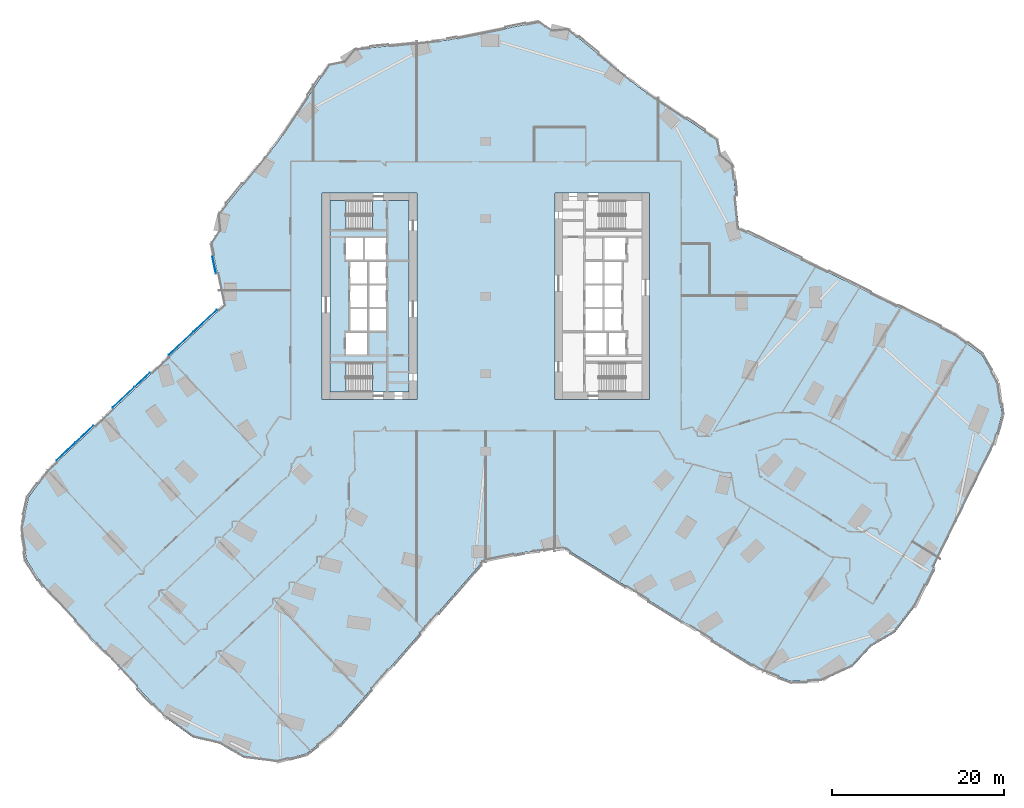
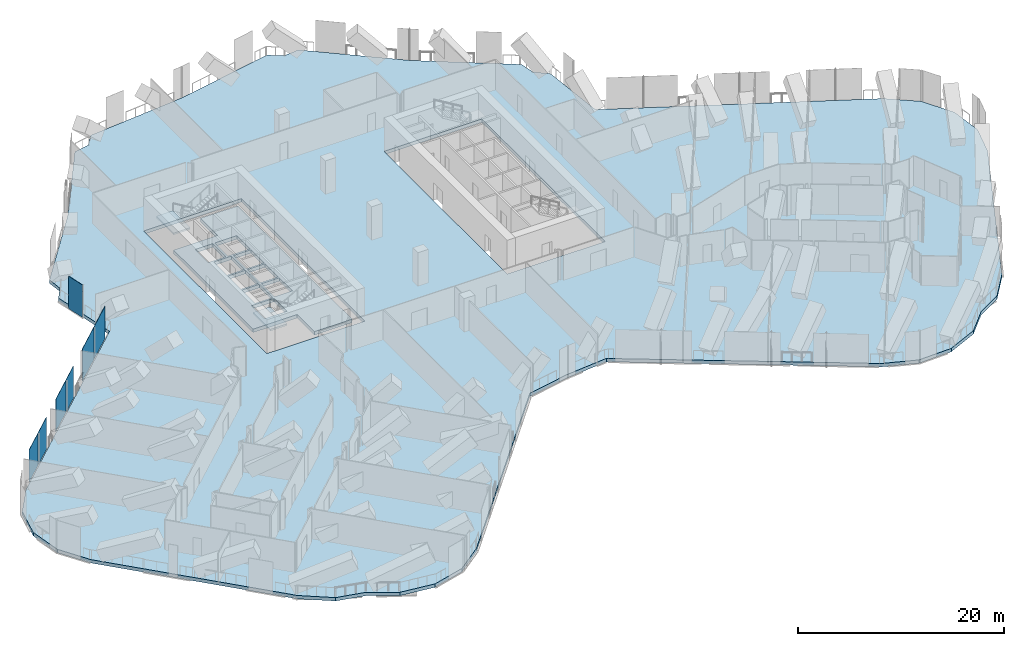
# One storey, part 17 of 31: 7 plates, 4 slabs, 4 elements without a shape of their own.
"""IFC4 building model written with IfcOpenShell, lengths in metres."""

from ifc_helpers import new_model, si_unit, direction, frame, origin, origin_2d, place, context, subcontext, project, spatial, polyline, rectangle, outline, extrude, material, layer, layer_set, type_object, element, aggregate, save


model = new_model("IFC4")

# Units and contexts
model_context = context("Model", 3, precision=1e-05, world=origin(), true_north=direction((0.0, 1.0)))
body_context = subcontext(model_context, "Body", "Model", "MODEL_VIEW")
ifc_project = project(units=[si_unit("LENGTHUNIT", "METRE"), si_unit("AREAUNIT", "SQUARE_METRE"), si_unit("VOLUMEUNIT", "CUBIC_METRE"), si_unit("PLANEANGLEUNIT", "RADIAN"), si_unit("MASSUNIT", "GRAM", prefix="KILO")], contexts=[model_context])

# Site, building, storey
site_placement = place(None, origin())
site = spatial("IfcSite", under=ifc_project, at=site_placement, CompositionType="ELEMENT")
building_placement = place(site_placement, origin())
building = spatial("IfcBuilding", under=site, at=building_placement, Name="Orlundy Tower", CompositionType="ELEMENT")
storey_placement = place(building_placement, frame((0.0, 0.0, 54.800048828125)))
storey = spatial("IfcBuildingStorey", under=building, at=storey_placement, Name="L12", CompositionType="ELEMENT", Elevation=54.800048828125)

# Curtain wall, plates
ifc_material_1 = material(Name="Aluminium bronze anodised", Category="aluminium")
curtain_wall_type = type_object("IfcCurtainWallType", Name="CW5 wall", PredefinedType="NOTDEFINED", material=ifc_material_1)
curtain_wall_1_placement = place(storey_placement, origin())
curtain_wall_1 = element("IfcCurtainWall", 1, at=curtain_wall_1_placement, inside=storey, type_object=curtain_wall_type, Name="CW5 run 012", PredefinedType="NOTDEFINED")
ifc_material_2 = material(Name="Tinted glass", Category="glass")
ifc_layer_1 = layer(ifc_material_2, 0.031982421875)
ifc_layer_set_1 = layer_set([ifc_layer_1], Name="CW5 glass panel 32")
plate_type_1 = type_object("IfcPlateType", Name="CW5 glass panel 32", PredefinedType="CURTAIN_PANEL", material=ifc_layer_set_1)
plate_1_placement = place(storey_placement, frame((-48.69482421875, -18.0009765625, -0.26025390625), z_axis=(0.0, 0.0, 1.0), x_axis=(0.729356319331, 0.684134021557, 0.0)))
plate_1 = element("IfcPlate", 2, at=plate_1_placement, type_object=plate_type_1, Name="CW5 panel", PredefinedType="CURTAIN_PANEL", context=body_context, shape_type="SweptSolid", body=[
    extrude(rectangle(XDim=2.9814453125, YDim=0.031982421875, at=origin_2d()), origin(), (0.0, 0.0, 1.0), 3.860107421875),
])
plate_2_placement = place(storey_placement, frame((-46.5537109375, -15.99267578125, -0.26025390625), z_axis=(0.0, 0.0, 1.0), x_axis=(0.729356319331, 0.684134021557, 0.0)))
plate_2 = element("IfcPlate", 3, at=plate_2_placement, type_object=plate_type_1, Name="CW5 panel", PredefinedType="CURTAIN_PANEL", context=body_context, shape_type="SweptSolid", body=[
    extrude(rectangle(XDim=2.7900390625, YDim=0.031982421875, at=origin_2d()), origin(), (0.0, 0.0, 1.0), 3.860107421875),
])
plate_3_placement = place(storey_placement, frame((-39.85498046875, -9.709228515625, -0.26025390625), z_axis=(0.0, 0.0, 1.0), x_axis=(0.729356319331, 0.684134021557, 0.0)))
plate_3 = element("IfcPlate", 4, at=plate_3_placement, type_object=plate_type_1, Name="CW5 panel", PredefinedType="CURTAIN_PANEL", context=body_context, shape_type="SweptSolid", body=[
    extrude(rectangle(XDim=2.421630859375, YDim=0.031982421875, at=origin_2d()), origin(), (0.0, 0.0, 1.0), 3.860107421875),
])
plate_4_placement = place(storey_placement, frame((-35.344970703125, -5.478759765625, -0.26025390625), z_axis=(0.0, 0.0, 1.0), x_axis=(0.729356319331, 0.684134021557, 0.0)))
plate_4 = element("IfcPlate", 5, at=plate_4_placement, type_object=plate_type_1, Name="CW5 panel", PredefinedType="CURTAIN_PANEL", context=body_context, shape_type="SweptSolid", body=[
    extrude(rectangle(XDim=3.847900390625, YDim=0.031982421875, at=origin_2d()), origin(), (0.0, 0.0, 1.0), 3.860107421875),
])

# Curtain wall, plate
curtain_wall_2_placement = place(storey_placement, origin())
curtain_wall_2 = element("IfcCurtainWall", 6, at=curtain_wall_2_placement, inside=storey, type_object=curtain_wall_type, Name="CW5 run 013", PredefinedType="NOTDEFINED")
plate_5_placement = place(storey_placement, frame((-31.501953125, 3.581298828125, -0.26025390625), z_axis=(0.0, 0.0, 1.0), x_axis=(-0.196525802824, 0.980498653148, 0.0)))
plate_5 = element("IfcPlate", 7, at=plate_5_placement, type_object=plate_type_1, Name="CW5 panel", PredefinedType="CURTAIN_PANEL", context=body_context, shape_type="SweptSolid", body=[
    extrude(rectangle(XDim=2.01123046875, YDim=0.031982421875, at=origin_2d()), origin(), (0.0, 0.0, 1.0), 3.860107421875),
])
aggregate(curtain_wall_2, [plate_5])

# Plate
ifc_material_3 = material(Name="Tinted glass", Category="glass")
ifc_layer_2 = layer(ifc_material_3, 0.031982421875)
ifc_layer_set_2 = layer_set([ifc_layer_2], Name="CW5 vent panel 32")
plate_type_2 = type_object("IfcPlateType", Name="CW5 vent panel 32", PredefinedType="CURTAIN_PANEL", material=ifc_layer_set_2)
plate_6_placement = place(storey_placement, frame((-42.018798828125, -11.73876953125, -0.26025390625), z_axis=(0.0, 0.0, 1.0), x_axis=(0.729356319331, 0.684134021557, 0.0)))
plate_6 = element("IfcPlate", 8, at=plate_6_placement, type_object=plate_type_2, Name="CW5 panel", PredefinedType="CURTAIN_PANEL", context=body_context, shape_type="SweptSolid", body=[
    extrude(rectangle(XDim=3.41162109375, YDim=0.031982421875, at=origin_2d()), origin(), (0.0, 0.0, 1.0), 3.860107421875),
])

plate_7_placement = place(storey_placement, frame((-32.56005859375, -2.86669921875, -0.26025390625), z_axis=(0.0, 0.0, 1.0), x_axis=(0.729356319331, 0.684134021557, 0.0)))
plate_7 = element("IfcPlate", 9, at=plate_7_placement, type_object=plate_type_2, Name="CW5 panel", PredefinedType="CURTAIN_PANEL", context=body_context, shape_type="SweptSolid", body=[
    extrude(rectangle(XDim=3.688232421875, YDim=0.031982421875, at=origin_2d()), origin(), (0.0, 0.0, 1.0), 3.860107421875),
])

aggregate(curtain_wall_1, [plate_1, plate_2, plate_6, plate_3, plate_4, plate_7])

# Slab
ifc_material_4 = material(Name="Concrete C50/60", Category="concrete")
ifc_layer_3 = layer(ifc_material_4, 0.409912109375)
ifc_layer_set_3 = layer_set([ifc_layer_3], Name="Core Floor Slab 410")
slab_type_1 = type_object("IfcSlabType", Name="Core Floor Slab 410", PredefinedType="FLOOR", material=ifc_layer_set_3)
slab_1_placement = place(storey_placement, frame((0.0, 0.0, -0.41015625)))
element("IfcSlab", 10, at=slab_1_placement, inside=storey, type_object=slab_type_1, Name="Core floor W11", PredefinedType="FLOOR", context=body_context, shape_type="SweptSolid", body=[
    extrude(outline(polyline([(-13.14501953125, 7.75), (-13.14501953125, 11.10009765625), (-8.89990234375, 11.10009765625), (-8.89990234375, -11.10009765625), (-13.14501953125, -11.10009765625), (-13.14501953125, -7.75), (-18.10009765625, -7.75), (-18.10009765625, 7.75), (-13.14501953125, 7.75)]), holes=[polyline([(-16.239990234375, -6.77490234375), (-13.739990234375, -6.77490234375), (-13.739990234375, -4.22509765625), (-16.239990234375, -4.22509765625), (-16.239990234375, -6.77490234375)]), polyline([(-13.5400390625, -1.47509765625), (-13.5400390625, -4.02490234375), (-11.5400390625, -4.02490234375), (-11.5400390625, -1.47509765625), (-13.5400390625, -1.47509765625)]), polyline([(-13.739990234375, -1.47509765625), (-15.739990234375, -1.47509765625), (-15.739990234375, -4.02490234375), (-13.739990234375, -4.02490234375), (-13.739990234375, -1.47509765625)]), polyline([(-11.5400390625, -1.27490234375), (-11.5400390625, 1.27490234375), (-13.5400390625, 1.27490234375), (-13.5400390625, -1.27490234375), (-11.5400390625, -1.27490234375)]), polyline([(-15.739990234375, -1.27490234375), (-13.739990234375, -1.27490234375), (-13.739990234375, 1.27490234375), (-15.739990234375, 1.27490234375), (-15.739990234375, -1.27490234375)]), polyline([(-13.5400390625, 4.02490234375), (-13.5400390625, 1.47509765625), (-11.5400390625, 1.47509765625), (-11.5400390625, 4.02490234375), (-13.5400390625, 4.02490234375)]), polyline([(-13.739990234375, 4.02490234375), (-15.739990234375, 4.02490234375), (-15.739990234375, 1.47509765625), (-13.739990234375, 1.47509765625), (-13.739990234375, 4.02490234375)]), polyline([(-11.5400390625, 4.22509765625), (-11.5400390625, 6.77490234375), (-14.0400390625, 6.77490234375), (-14.0400390625, 4.22509765625), (-11.5400390625, 4.22509765625)]), polyline([(-16.239990234375, 4.22509765625), (-14.239990234375, 4.22509765625), (-14.239990234375, 6.77490234375), (-16.239990234375, 6.77490234375), (-16.239990234375, 4.22509765625)])]), origin(), (0.0, 0.0, 1.0), 0.41015625),
])

# Stair, slab
ifc_material_5 = material(Name="Concrete C50/60", Category="concrete")
stair_type = type_object("IfcStairType", Name="Exit Stair 24 risers", PredefinedType="HALF_TURN_STAIR", material=ifc_material_5)
stair_1_placement = place(storey_placement, origin())
stair_1 = element("IfcStair", 11, at=stair_1_placement, inside=storey, type_object=stair_type, Name="L12 Exit Stair ST-W1", PredefinedType="HALF_TURN_STAIR")
ifc_material_6 = material(Name="Concrete C50/60", Category="concrete")
ifc_layer_4 = layer(ifc_material_6, 0.199951171875)
ifc_layer_set_4 = layer_set([ifc_layer_4], Name="Exit Stair Landing")
slab_type_2 = type_object("IfcSlabType", Name="Exit Stair Landing", PredefinedType="LANDING", material=ifc_layer_set_4)
slab_2_placement = place(storey_placement, frame((0.0, 0.0, 1.800048828125)))
slab_2 = element("IfcSlab", 12, at=slab_2_placement, type_object=slab_type_2, Name="ST-W1 landing 1", PredefinedType="LANDING", context=body_context, shape_type="SweptSolid", body=[
    extrude(outline(polyline([(-16.219970703125, 11.10009765625), (-18.10009765625, 11.10009765625), (-18.10009765625, 7.75), (-16.219970703125, 7.75), (-16.219970703125, 11.10009765625)])), origin(), (0.0, 0.0, 1.0), 0.199951171875),
])
aggregate(stair_1, [slab_2])

stair_2_placement = place(storey_placement, origin())
stair_2 = element("IfcStair", 13, at=stair_2_placement, inside=storey, type_object=stair_type, Name="L12 Exit Stair ST-W2", PredefinedType="HALF_TURN_STAIR")
slab_3_placement = place(storey_placement, frame((0.0, 0.0, 1.800048828125)))
slab_3 = element("IfcSlab", 14, at=slab_3_placement, type_object=slab_type_2, Name="ST-W2 landing 1", PredefinedType="LANDING", context=body_context, shape_type="SweptSolid", body=[
    extrude(outline(polyline([(-16.219970703125, -7.75), (-18.10009765625, -7.75), (-18.10009765625, -11.10009765625), (-16.219970703125, -11.10009765625), (-16.219970703125, -7.75)])), origin(), (0.0, 0.0, 1.0), 0.199951171875),
])
aggregate(stair_2, [slab_3])

# Slab
ifc_material_7 = material(Name="Concrete C45/55", Category="concrete")
ifc_layer_5 = layer(ifc_material_7, 0.39990234375)
ifc_layer_set_5 = layer_set([ifc_layer_5], Name="JUNCTION FLOOR SLAB 400 C45/55")
slab_type_3 = type_object("IfcSlabType", Name="JUNCTION FLOOR SLAB 400 C45/55", PredefinedType="FLOOR", material=ifc_layer_set_5)
slab_4_placement = place(storey_placement, frame((0.0, 0.0, -0.400146484375)))
element("IfcSlab", 15, at=slab_4_placement, inside=storey, type_object=slab_type_3, Name="Floor slab L12", PredefinedType="FLOOR", context=body_context, shape_type="SweptSolid", body=[
    extrude(outline(polyline([(-17.85693359375, -50.804931640625), (-20.7939453125, -53.06591796875), (-24.373046875, -54.030029296875), (-28.049072265625, -53.552001953125), (-30.906982421875, -51.906982421875), (-33.928955078125, -51.205078125), (-36.943115234375, -49.048095703125), (-51.31005859375, -33.73095703125), (-53.27001953125, -30.5849609375), (-53.8759765625, -26.927978515625), (-53.037109375, -23.31689453125), (-50.8798828125, -20.302978515625), (-30.381103515625, -1.074951171875), (-31.85693359375, 6.2890625), (-30.912109375, 7.7080078125), (-31.080078125, 9.403076171875), (-24.14892578125, 17.861083984375), (-18.080078125, 26.972900390625), (-16.407958984375, 27.30810546875), (-15.327880859375, 28.6259765625), (-4.443115234375, 29.7060546875), (6.2890625, 31.85693359375), (7.7080078125, 30.912109375), (9.403076171875, 31.080078125), (17.861083984375, 24.14892578125), (26.972900390625, 18.080078125), (27.30810546875, 16.407958984375), (28.6259765625, 15.327880859375), (29.367919921875, 7.85400390625), (54.593017578125, -4.5400390625), (57.537109375, -6.7919921875), (59.39501953125, -10.0), (59.884033203125, -13.674072265625), (58.929931640625, -17.256103515625), (49.6689453125, -36.10302734375), (47.4169921875, -39.047119140625), (44.73388671875, -40.60205078125), (42.47998046875, -43.010986328125), (39.10498046875, -44.54296875), (35.39990234375, -44.6669921875), (31.929931640625, -43.364013671875), (9.175048828125, -29.237060546875), (4.43896484375, -29.70703125), (-0.22607421875, -30.64208984375), (-17.85693359375, -50.804931640625)]), holes=[polyline([(-8.0, -12.0), (-8.0, 12.0), (-19.0, 12.0), (-19.0, -12.0), (-8.0, -12.0)]), polyline([(19.0, -12.0), (19.0, 12.0), (8.0, 12.0), (8.0, -12.0), (19.0, -12.0)])]), origin(), (0.0, 0.0, 1.0), 0.400146484375),
])

save(model, "model.ifc")
